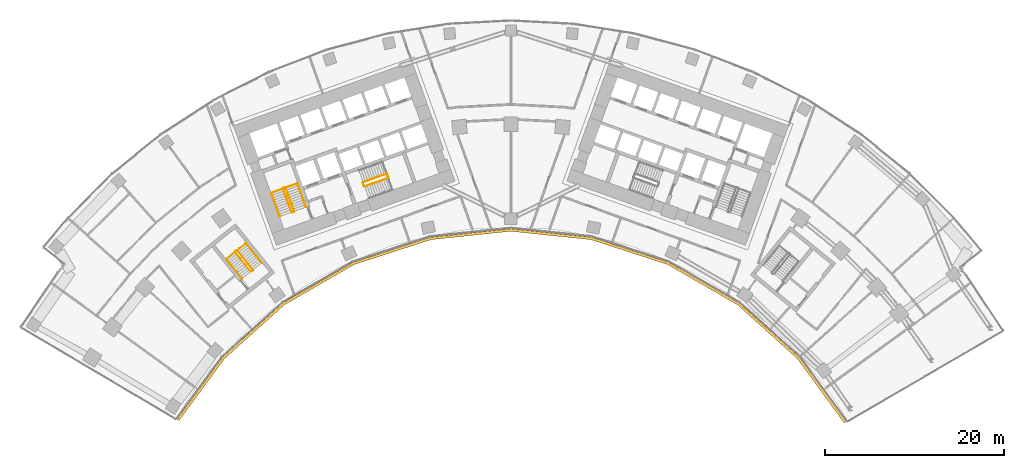
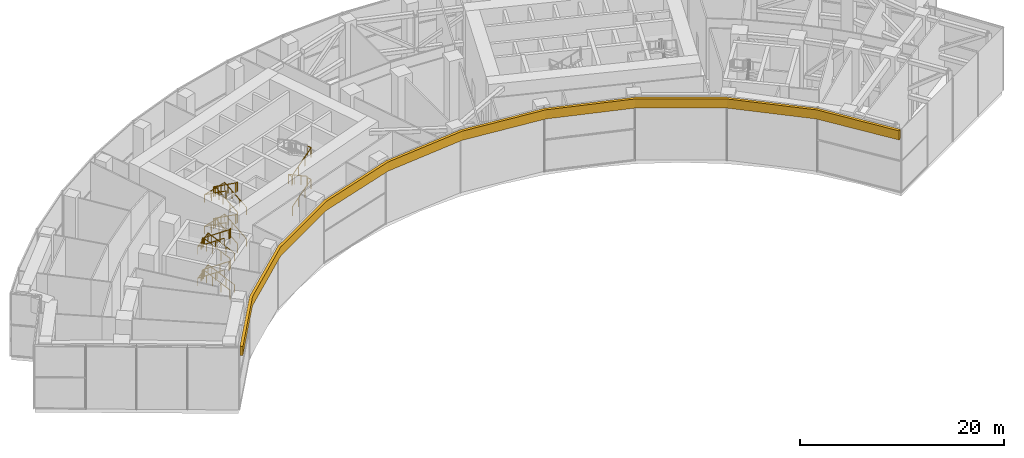
# One storey, part 31 of 33: 15 railings, 1 covering.
"""IFC4 building model written with IfcOpenShell, lengths in metres."""

import ifcopenshell
import ifcopenshell.guid

model = None  # the IFC model being written
_history = None  # IfcOwnerHistory: only IFC2X3 demands one
_inside = {}  # id of a spatial element -> (the spatial element, [elements in it])
_under = {}  # id of a project, library or spatial element -> (it, [spatial elements below it])
_declared = {}  # id of a project -> (the project, [libraries it declares])
_typed = {}  # id of a type object -> (the type object, [elements of that type])
_made_of = {}  # id of a material, layer set ... -> (it, [elements and type objects made of it])


def new_model(schema):
    """Start an empty IFC model of exactly this schema.

    Asked for "IFC4X3", IfcOpenShell would pick the latest addendum, in which some entities
    have other attributes; the version numbers below select the first issue.
    IFC2X3 requires an IfcOwnerHistory on every rooted entity: one is made here for all.
    """
    global model, _history
    if schema == "IFC4X3":
        model = ifcopenshell.file(schema_version=(4, 3, 0, 0))
    else:
        model = ifcopenshell.file(schema=schema)
    _inside.clear()
    _under.clear()
    _declared.clear()
    _typed.clear()
    _made_of.clear()
    _history = None
    if model.schema == "IFC2X3":
        org = make("IfcOrganization", Name="unknown")
        user = make(
            "IfcPersonAndOrganization",
            ThePerson=make("IfcPerson", FamilyName="unknown"),
            TheOrganization=org,
        )
        app = make(
            "IfcApplication",
            ApplicationDeveloper=org,
            Version="unknown",
            ApplicationFullName="unknown",
            ApplicationIdentifier="unknown",
        )
        _history = make(
            "IfcOwnerHistory",
            OwningUser=user,
            OwningApplication=app,
            ChangeAction="ADDED",
            CreationDate=0,
        )
    return model


def make(cls, **values):
    """One entity of the class cls with the attributes given. An attribute that is None is left unset."""
    return model.create_entity(
        cls, **{name: value for name, value in values.items() if value is not None}
    )


def rooted(cls, **values):
    """An entity with a GlobalId (a new one), such as an element, a storey or a relation."""
    return make(cls, GlobalId=ifcopenshell.guid.new(), OwnerHistory=_history, **values)


def si_unit(unit_type, name, prefix=None):
    """IfcSIUnit, for example si_unit("LENGTHUNIT", "METRE", prefix="MILLI")."""
    return make("IfcSIUnit", UnitType=unit_type, Prefix=prefix, Name=name)


def assignment(units):
    """IfcUnitAssignment: the units of a project."""
    return None if units is None else make("IfcUnitAssignment", Units=units)


def point(xyz):
    """IfcCartesianPoint."""
    return None if xyz is None else make("IfcCartesianPoint", Coordinates=xyz)


def direction(xyz):
    """IfcDirection."""
    return None if xyz is None else make("IfcDirection", DirectionRatios=xyz)


def frame(location, z_axis=None, x_axis=None):
    """IfcAxis2Placement3D, a coordinate frame: its origin and axes. An axis left out is left unset."""
    return make(
        "IfcAxis2Placement3D",
        Location=point(location),
        Axis=direction(z_axis),
        RefDirection=direction(x_axis),
    )


def frame_2d(location, x_axis=None):
    """IfcAxis2Placement2D, a coordinate frame in the plane: its origin and x axis."""
    return make(
        "IfcAxis2Placement2D", Location=point(location), RefDirection=direction(x_axis)
    )


def origin():
    """The frame at (0, 0, 0) with its axes left unset."""
    return frame((0.0, 0.0, 0.0))


def origin_2d():
    """The frame at (0, 0) in the plane with its x axis left unset."""
    return frame_2d((0.0, 0.0))


def place(relative_to, where):
    """IfcLocalPlacement: puts the frame where relative to a parent placement (None: the world)."""
    return make(
        "IfcLocalPlacement", PlacementRelTo=relative_to, RelativePlacement=where
    )


def context(
    kind, dimensions, precision=None, world=None, true_north=None, identifier=None
):
    """IfcGeometricRepresentationContext, for example the 3D "Model" context."""
    return make(
        "IfcGeometricRepresentationContext",
        ContextIdentifier=identifier,
        ContextType=kind,
        CoordinateSpaceDimension=dimensions,
        Precision=precision,
        WorldCoordinateSystem=world,
        TrueNorth=true_north,
    )


def subcontext(parent, identifier, kind, view, scale=None):
    """IfcGeometricRepresentationSubContext, for example "Body" below "Model"."""
    return make(
        "IfcGeometricRepresentationSubContext",
        ContextIdentifier=identifier,
        ContextType=kind,
        ParentContext=parent,
        TargetScale=scale,
        TargetView=view,
    )


def project(units=None, contexts=None):
    """IfcProject with its units and contexts."""
    return rooted(
        "IfcProject",
        Name="project",
        RepresentationContexts=contexts,
        UnitsInContext=assignment(units),
    )


def spatial(cls, under=None, at=None, **own):
    """A site, building, storey or space (cls), placed at a placement, below another one or the project."""
    s = rooted(cls, ObjectPlacement=at, **own)
    if under is not None:
        _under.setdefault(under.id(), (under, []))[1].append(s)
    return s


def polyline(points):
    """IfcPolyline through the points."""
    return make("IfcPolyline", Points=[point(p) for p in points])


def profile(cls, at=None, kind="AREA", **sizes):
    """A parametric profile (cls). Its sizes go by their IFC names, for example OverallWidth=200.0."""
    return make(cls, ProfileType=kind, Position=at, **sizes)


def circle(**sizes):
    """IfcCircleProfileDef."""
    return profile("IfcCircleProfileDef", **sizes)


def outline(outer, holes=None, kind="AREA"):
    """IfcArbitraryClosedProfileDef: a profile drawn as a closed curve; with holes, ...WithVoids."""
    if holes is None:
        return make("IfcArbitraryClosedProfileDef", ProfileType=kind, OuterCurve=outer)
    return make(
        "IfcArbitraryProfileDefWithVoids",
        ProfileType=kind,
        OuterCurve=outer,
        InnerCurves=holes,
    )


def extrude(swept, where, along, depth):
    """IfcExtrudedAreaSolid: the profile swept, set in the frame where, extruded along a direction by depth."""
    return make(
        "IfcExtrudedAreaSolid",
        SweptArea=swept,
        Position=where,
        ExtrudedDirection=direction(along),
        Depth=depth,
    )


def shape(context_of_items, identifier, shape_type, items):
    """IfcShapeRepresentation: the items that make up one representation, for example the "Body"."""
    return make(
        "IfcShapeRepresentation",
        ContextOfItems=context_of_items,
        RepresentationIdentifier=identifier,
        RepresentationType=shape_type,
        Items=items,
    )


def material(Name=None, Category=None):
    """IfcMaterial."""
    return make("IfcMaterial", Name=Name, Category=Category)


def layer(
    of_material, thickness, ventilated=None, Name=None, Category=None, Priority=None
):
    """IfcMaterialLayer: one layer of a wall or slab, of a material (None: an air gap)."""
    return make(
        "IfcMaterialLayer",
        Material=of_material,
        LayerThickness=thickness,
        IsVentilated=ventilated,
        Name=Name,
        Category=Category,
        Priority=Priority,
    )


def layer_set(layers, Name=None):
    """IfcMaterialLayerSet."""
    return make("IfcMaterialLayerSet", MaterialLayers=layers, LayerSetName=Name)


def made_of(thing, what):
    """Note that an element or type object is made of a material, layer set ...; save() writes the relation."""
    if what is not None:
        _made_of.setdefault(what.id(), (what, []))[1].append(thing)
    return thing


def type_object(cls, material=None, **own):
    """A type object (cls), such as IfcWallType, which elements share."""
    return made_of(rooted(cls, **own), material)


def element(
    cls,
    number,
    at=None,
    inside=None,
    cuts=None,
    type_object=None,
    material=None,
    context=None,
    identifier="Body",
    shape_type=None,
    held_by="IfcProductDefinitionShape",
    body=None,
    shapes=None,
    **own,
):
    """One element of the class cls, such as IfcWall. Its Tag is "e" and its number.

    at: its placement. inside: the storey or other place that contains it. cuts: it is an
    opening in that element (IfcRelVoidsElement). A single representation is given by context,
    identifier, shape_type and body (its items); several are given by shapes. held_by: the class
    of the entity that holds the representations. save() writes the other relations.
    """
    e = rooted(cls, Tag="e%d" % number, ObjectPlacement=at, **own)
    if body is not None:
        shapes = [shape(context, identifier, shape_type, body)]
    if shapes is not None:
        e.Representation = make(held_by, Representations=shapes)
    if inside is not None:
        _inside.setdefault(inside.id(), (inside, []))[1].append(e)
    if cuts is not None:
        rooted(
            "IfcRelVoidsElement", RelatingBuildingElement=cuts, RelatedOpeningElement=e
        )
    if type_object is not None:
        _typed.setdefault(type_object.id(), (type_object, []))[1].append(e)
    return made_of(e, material)


def aggregate(whole, parts):
    """IfcRelAggregates: a whole, such as a stair, and the parts it consists of."""
    return rooted("IfcRelAggregates", RelatingObject=whole, RelatedObjects=parts)


def save(model, path):
    """Write the relations noted so far, then the file.

    IfcRelAggregates (storeys below a building ...), IfcRelContainedInSpatialStructure (elements
    in a storey), IfcRelDefinesByType, IfcRelAssociatesMaterial and IfcRelDeclares: one each for
    every whole, place, type object, material and project.
    """
    for whole, parts in _under.values():
        aggregate(whole, parts)
    for where, things in _inside.values():
        rooted(
            "IfcRelContainedInSpatialStructure",
            RelatedElements=things,
            RelatingStructure=where,
        )
    for kind, things in _typed.values():
        rooted("IfcRelDefinesByType", RelatedObjects=things, RelatingType=kind)
    for what, things in _made_of.values():
        rooted("IfcRelAssociatesMaterial", RelatedObjects=things, RelatingMaterial=what)
    for by, libraries in _declared.values():
        rooted("IfcRelDeclares", RelatingContext=by, RelatedDefinitions=libraries)
    model.write(path)


model = new_model("IFC4")

# Units and contexts
model_context = context("Model", 3, precision=1e-05, world=origin(), true_north=direction((0.0, 1.0)))
body_context = subcontext(model_context, "Body", "Model", "MODEL_VIEW")
ifc_project = project(units=[si_unit("LENGTHUNIT", "METRE"), si_unit("AREAUNIT", "SQUARE_METRE"), si_unit("VOLUMEUNIT", "CUBIC_METRE"), si_unit("PLANEANGLEUNIT", "RADIAN"), si_unit("MASSUNIT", "GRAM", prefix="KILO")], contexts=[model_context])

# Site, building, storey
site_placement = place(None, origin())
site = spatial("IfcSite", under=ifc_project, at=site_placement, CompositionType="ELEMENT")
building_placement = place(site_placement, origin())
building = spatial("IfcBuilding", under=site, at=building_placement, Name="Stone Belt Terrace Tower", CompositionType="ELEMENT")
storey_placement = place(building_placement, frame((0.0, 0.0, 79.39990234375)))
storey = spatial("IfcBuildingStorey", under=building, at=storey_placement, Name="L19", CompositionType="ELEMENT", Elevation=79.39990234375)

# Railings
ifc_material_1 = material(Name="Structural steel C345", Category="steel")
railing_type_1 = type_object("IfcRailingType", Name="Stair guard 1100", PredefinedType="GUARDRAIL", material=ifc_material_1)
railing_1_placement = place(storey_placement, frame((-24.2119140625, 45.276123046875, 0.1728515625)))
element("IfcRailing", 1, at=railing_1_placement, inside=storey, type_object=railing_type_1, Name="L19 ST1A stair guard 1", PredefinedType="GUARDRAIL", context=body_context, shape_type="SweptSolid", body=[
    extrude(circle(Radius=0.02392578125, at=origin_2d()), frame((0.0, 0.0, 1.076171875), z_axis=(-0.288228637646, 0.800791768495, 0.525030280985), x_axis=(-0.940908529223, -0.338660803216, 0.0)), (0.0, 0.0, 1.0), 3.289794921875),
    extrude(circle(Radius=0.02392578125, at=origin_2d()), frame((-0.9482421875, 2.634521484375, 2.80322265625), z_axis=(-0.905209821074, 0.424964916, 0.0), x_axis=(-0.424964916, -0.905209821074, 0.0)), (0.0, 0.0, 1.0), 0.070556640625),
    extrude(circle(Radius=0.02392578125, at=origin_2d()), frame((-1.01220703125, 2.66455078125, 2.80322265625), z_axis=(-0.941105063269, -0.338114270461, 0.0), x_axis=(0.338114270461, -0.941105063269, 0.0)), (0.0, 0.0, 1.0), 0.199951171875),
    extrude(circle(Radius=0.02099609375, at=origin_2d()), origin(), (0.0, 0.0, 1.0), 1.052001953125),
    extrude(circle(Radius=0.02099609375, at=origin_2d()), frame((-0.316162109375, 0.878173828125, 0.57568359375)), (0.0, 0.0, 1.0), 1.052001953125),
    extrude(circle(Radius=0.02099609375, at=origin_2d()), frame((-0.632080078125, 1.75634765625, 1.151611328125)), (0.0, 0.0, 1.0), 1.052001953125),
    extrude(circle(Radius=0.02099609375, at=origin_2d()), frame((-0.9482421875, 2.634521484375, 1.727294921875)), (0.0, 0.0, 1.0), 1.052001953125),
    extrude(circle(Radius=0.02099609375, at=origin_2d()), frame((-1.01220703125, 2.66455078125, 1.727294921875)), (0.0, 0.0, 1.0), 1.052001953125),
    extrude(circle(Radius=0.02099609375, at=origin_2d()), frame((-1.200439453125, 2.596923828125, 1.727294921875)), (0.0, 0.0, 1.0), 1.052001953125),
])
railing_2_placement = place(storey_placement, frame((-25.4423828125, 47.80908203125, 2.07275390625)))
element("IfcRailing", 2, at=railing_2_placement, inside=storey, type_object=railing_type_1, Name="L19 ST1A stair guard 2", PredefinedType="GUARDRAIL", context=body_context, shape_type="SweptSolid", body=[
    extrude(circle(Radius=0.02392578125, at=origin_2d()), frame((0.0, 0.0, 1.076171875), z_axis=(0.288228637646, -0.800791768495, 0.525030280985), x_axis=(0.940908529223, 0.338660803216, 0.0)), (0.0, 0.0, 1.0), 3.289794921875),
    extrude(circle(Radius=0.02392578125, at=origin_2d()), frame((0.9482421875, -2.634521484375, 2.80322265625), z_axis=(0.903878284585, -0.427789722475, 0.0), x_axis=(0.427789722475, 0.903878284585, 0.0)), (0.0, 0.0, 1.0), 0.07080078125),
    extrude(circle(Radius=0.02392578125, at=origin_2d()), frame((1.01220703125, -2.664794921875, 2.80322265625), z_axis=(0.940575576748, 0.339584429008, 0.0), x_axis=(-0.339584429008, 0.940575576748, 0.0)), (0.0, 0.0, 1.0), 0.199951171875),
    extrude(circle(Radius=0.02099609375, at=origin_2d()), origin(), (0.0, 0.0, 1.0), 1.052001953125),
    extrude(circle(Radius=0.02099609375, at=origin_2d()), frame((0.316162109375, -0.878173828125, 0.57568359375)), (0.0, 0.0, 1.0), 1.052001953125),
    extrude(circle(Radius=0.02099609375, at=origin_2d()), frame((0.632080078125, -1.75634765625, 1.151611328125)), (0.0, 0.0, 1.0), 1.052001953125),
    extrude(circle(Radius=0.02099609375, at=origin_2d()), frame((0.9482421875, -2.634521484375, 1.727294921875)), (0.0, 0.0, 1.0), 1.052001953125),
    extrude(circle(Radius=0.02099609375, at=origin_2d()), frame((1.01220703125, -2.664794921875, 1.727294921875)), (0.0, 0.0, 1.0), 1.052001953125),
    extrude(circle(Radius=0.02099609375, at=origin_2d()), frame((1.2001953125, -2.596923828125, 1.727294921875)), (0.0, 0.0, 1.0), 1.052001953125),
])
railing_3_placement = place(storey_placement, frame((-24.2119140625, 45.276123046875, 3.972900390625)))
element("IfcRailing", 3, at=railing_3_placement, inside=storey, type_object=railing_type_1, Name="L19 ST1A stair guard 3", PredefinedType="GUARDRAIL", context=body_context, shape_type="SweptSolid", body=[
    extrude(circle(Radius=0.02392578125, at=origin_2d()), frame((0.0, 0.0, 1.076171875), z_axis=(-0.288228637646, 0.800791768495, 0.525030280985), x_axis=(-0.940908529223, -0.338660803216, 0.0)), (0.0, 0.0, 1.0), 3.289794921875),
    extrude(circle(Radius=0.02392578125, at=origin_2d()), frame((-0.9482421875, 2.634521484375, 2.80322265625), z_axis=(-0.905209821074, 0.424964916, 0.0), x_axis=(-0.424964916, -0.905209821074, 0.0)), (0.0, 0.0, 1.0), 0.070556640625),
    extrude(circle(Radius=0.02392578125, at=origin_2d()), frame((-1.01220703125, 2.66455078125, 2.80322265625), z_axis=(-0.941105063269, -0.338114270461, 0.0), x_axis=(0.338114270461, -0.941105063269, 0.0)), (0.0, 0.0, 1.0), 0.199951171875),
    extrude(circle(Radius=0.02099609375, at=origin_2d()), origin(), (0.0, 0.0, 1.0), 1.052001953125),
    extrude(circle(Radius=0.02099609375, at=origin_2d()), frame((-0.316162109375, 0.878173828125, 0.57568359375)), (0.0, 0.0, 1.0), 1.052001953125),
    extrude(circle(Radius=0.02099609375, at=origin_2d()), frame((-0.632080078125, 1.75634765625, 1.151611328125)), (0.0, 0.0, 1.0), 1.052001953125),
    extrude(circle(Radius=0.02099609375, at=origin_2d()), frame((-0.9482421875, 2.634521484375, 1.727294921875)), (0.0, 0.0, 1.0), 1.052001953125),
    extrude(circle(Radius=0.02099609375, at=origin_2d()), frame((-1.01220703125, 2.66455078125, 1.727294921875)), (0.0, 0.0, 1.0), 1.052001953125),
    extrude(circle(Radius=0.02099609375, at=origin_2d()), frame((-1.200439453125, 2.596923828125, 1.727294921875)), (0.0, 0.0, 1.0), 1.052001953125),
])
railing_4_placement = place(storey_placement, frame((-25.4423828125, 47.80908203125, 5.872802734375)))
element("IfcRailing", 4, at=railing_4_placement, inside=storey, type_object=railing_type_1, Name="L19 ST1A stair guard 4", PredefinedType="GUARDRAIL", context=body_context, shape_type="SweptSolid", body=[
    extrude(circle(Radius=0.02392578125, at=origin_2d()), frame((0.0, 0.0, 1.076171875), z_axis=(0.288228637646, -0.800791768495, 0.525030280985), x_axis=(0.940908529223, 0.338660803216, 0.0)), (0.0, 0.0, 1.0), 3.289794921875),
    extrude(circle(Radius=0.02392578125, at=origin_2d()), frame((0.9482421875, -2.634521484375, 2.80322265625), z_axis=(0.903878284585, -0.427789722475, 0.0), x_axis=(0.427789722475, 0.903878284585, 0.0)), (0.0, 0.0, 1.0), 0.07080078125),
    extrude(circle(Radius=0.02392578125, at=origin_2d()), frame((1.01220703125, -2.664794921875, 2.80322265625), z_axis=(0.940575576748, 0.339584429008, 0.0), x_axis=(-0.339584429008, 0.940575576748, 0.0)), (0.0, 0.0, 1.0), 0.199951171875),
    extrude(circle(Radius=0.02099609375, at=origin_2d()), origin(), (0.0, 0.0, 1.0), 1.052001953125),
    extrude(circle(Radius=0.02099609375, at=origin_2d()), frame((0.316162109375, -0.878173828125, 0.57568359375)), (0.0, 0.0, 1.0), 1.052001953125),
    extrude(circle(Radius=0.02099609375, at=origin_2d()), frame((0.632080078125, -1.75634765625, 1.151611328125)), (0.0, 0.0, 1.0), 1.052001953125),
    extrude(circle(Radius=0.02099609375, at=origin_2d()), frame((0.9482421875, -2.634521484375, 1.727294921875)), (0.0, 0.0, 1.0), 1.052001953125),
    extrude(circle(Radius=0.02099609375, at=origin_2d()), frame((1.01220703125, -2.664794921875, 1.727294921875)), (0.0, 0.0, 1.0), 1.052001953125),
    extrude(circle(Radius=0.02099609375, at=origin_2d()), frame((1.2001953125, -2.596923828125, 1.727294921875)), (0.0, 0.0, 1.0), 1.052001953125),
])
railing_5_placement = place(storey_placement, frame((-16.33837890625, 48.056640625, 0.1728515625)))
element("IfcRailing", 5, at=railing_5_placement, inside=storey, type_object=railing_type_1, Name="L19 ST2A stair guard 1", PredefinedType="GUARDRAIL", context=body_context, shape_type="SweptSolid", body=[
    extrude(circle(Radius=0.02392578125, at=origin_2d()), frame((0.0, 0.0, 1.076171875), z_axis=(0.800808895155, 0.288160591223, 0.52504150989), x_axis=(-0.338583606334, 0.940936311087, 0.0)), (0.0, 0.0, 1.0), 3.289794921875),
    extrude(circle(Radius=0.02392578125, at=origin_2d()), frame((2.634521484375, 0.947998046875, 2.80322265625), z_axis=(0.427789722475, 0.903878284585, 0.0), x_axis=(-0.903878284585, 0.427789722475, 0.0)), (0.0, 0.0, 1.0), 0.07080078125),
    extrude(circle(Radius=0.02392578125, at=origin_2d()), frame((2.664794921875, 1.011962890625, 2.80322265625), z_axis=(-0.338654645739, 0.940910745459, 0.0), x_axis=(-0.940910745459, -0.338654645739, 0.0)), (0.0, 0.0, 1.0), 0.400146484375),
    extrude(circle(Radius=0.02099609375, at=origin_2d()), origin(), (0.0, 0.0, 1.0), 1.052001953125),
    extrude(circle(Radius=0.02099609375, at=origin_2d()), frame((0.878173828125, 0.31591796875, 0.57568359375)), (0.0, 0.0, 1.0), 1.052001953125),
    extrude(circle(Radius=0.02099609375, at=origin_2d()), frame((1.75634765625, 0.632080078125, 1.151611328125)), (0.0, 0.0, 1.0), 1.052001953125),
    extrude(circle(Radius=0.02099609375, at=origin_2d()), frame((2.634521484375, 0.947998046875, 1.727294921875)), (0.0, 0.0, 1.0), 1.052001953125),
    extrude(circle(Radius=0.02099609375, at=origin_2d()), frame((2.664794921875, 1.011962890625, 1.727294921875)), (0.0, 0.0, 1.0), 1.052001953125),
    extrude(circle(Radius=0.02099609375, at=origin_2d()), frame((2.529296875, 1.388427734375, 1.727294921875)), (0.0, 0.0, 1.0), 1.052001953125),
])
railing_6_placement = place(storey_placement, frame((-13.873046875, 49.47509765625, 2.07275390625)))
element("IfcRailing", 6, at=railing_6_placement, inside=storey, type_object=railing_type_1, Name="L19 ST2A stair guard 2", PredefinedType="GUARDRAIL", context=body_context, shape_type="SweptSolid", body=[
    extrude(circle(Radius=0.02392578125, at=origin_2d()), frame((0.0, 0.0, 1.076171875), z_axis=(-0.800808895155, -0.288160591223, 0.52504150989), x_axis=(0.338583606334, -0.940936311087, 0.0)), (0.0, 0.0, 1.0), 3.289794921875),
    extrude(circle(Radius=0.02392578125, at=origin_2d()), frame((-2.634521484375, -0.947998046875, 2.80322265625), z_axis=(-0.427789722475, -0.903878284585, 0.0), x_axis=(0.903878284585, -0.427789722475, 0.0)), (0.0, 0.0, 1.0), 0.07080078125),
    extrude(circle(Radius=0.02392578125, at=origin_2d()), frame((-2.664794921875, -1.011962890625, 2.80322265625), z_axis=(0.338654645739, -0.940910745459, 0.0), x_axis=(0.940910745459, 0.338654645739, 0.0)), (0.0, 0.0, 1.0), 0.400146484375),
    extrude(circle(Radius=0.02099609375, at=origin_2d()), origin(), (0.0, 0.0, 1.0), 1.052001953125),
    extrude(circle(Radius=0.02099609375, at=origin_2d()), frame((-0.878173828125, -0.31591796875, 0.57568359375)), (0.0, 0.0, 1.0), 1.052001953125),
    extrude(circle(Radius=0.02099609375, at=origin_2d()), frame((-1.75634765625, -0.632080078125, 1.151611328125)), (0.0, 0.0, 1.0), 1.052001953125),
    extrude(circle(Radius=0.02099609375, at=origin_2d()), frame((-2.634521484375, -0.947998046875, 1.727294921875)), (0.0, 0.0, 1.0), 1.052001953125),
    extrude(circle(Radius=0.02099609375, at=origin_2d()), frame((-2.664794921875, -1.011962890625, 1.727294921875)), (0.0, 0.0, 1.0), 1.052001953125),
    extrude(circle(Radius=0.02099609375, at=origin_2d()), frame((-2.529296875, -1.388427734375, 1.727294921875)), (0.0, 0.0, 1.0), 1.052001953125),
])
railing_7_placement = place(storey_placement, frame((-16.33837890625, 48.056640625, 3.972900390625)))
element("IfcRailing", 7, at=railing_7_placement, inside=storey, type_object=railing_type_1, Name="L19 ST2A stair guard 3", PredefinedType="GUARDRAIL", context=body_context, shape_type="SweptSolid", body=[
    extrude(circle(Radius=0.02392578125, at=origin_2d()), frame((0.0, 0.0, 1.076171875), z_axis=(0.800808895155, 0.288160591223, 0.52504150989), x_axis=(-0.338583606334, 0.940936311087, 0.0)), (0.0, 0.0, 1.0), 3.289794921875),
    extrude(circle(Radius=0.02392578125, at=origin_2d()), frame((2.634521484375, 0.947998046875, 2.80322265625), z_axis=(0.427789722475, 0.903878284585, 0.0), x_axis=(-0.903878284585, 0.427789722475, 0.0)), (0.0, 0.0, 1.0), 0.07080078125),
    extrude(circle(Radius=0.02392578125, at=origin_2d()), frame((2.664794921875, 1.011962890625, 2.80322265625), z_axis=(-0.338654645739, 0.940910745459, 0.0), x_axis=(-0.940910745459, -0.338654645739, 0.0)), (0.0, 0.0, 1.0), 0.400146484375),
    extrude(circle(Radius=0.02099609375, at=origin_2d()), origin(), (0.0, 0.0, 1.0), 1.052001953125),
    extrude(circle(Radius=0.02099609375, at=origin_2d()), frame((0.878173828125, 0.31591796875, 0.57568359375)), (0.0, 0.0, 1.0), 1.052001953125),
    extrude(circle(Radius=0.02099609375, at=origin_2d()), frame((1.75634765625, 0.632080078125, 1.151611328125)), (0.0, 0.0, 1.0), 1.052001953125),
    extrude(circle(Radius=0.02099609375, at=origin_2d()), frame((2.634521484375, 0.947998046875, 1.727294921875)), (0.0, 0.0, 1.0), 1.052001953125),
    extrude(circle(Radius=0.02099609375, at=origin_2d()), frame((2.664794921875, 1.011962890625, 1.727294921875)), (0.0, 0.0, 1.0), 1.052001953125),
    extrude(circle(Radius=0.02099609375, at=origin_2d()), frame((2.529296875, 1.388427734375, 1.727294921875)), (0.0, 0.0, 1.0), 1.052001953125),
])
railing_8_placement = place(storey_placement, frame((-28.814208984375, 38.734619140625, 0.1728515625)))
element("IfcRailing", 8, at=railing_8_placement, inside=storey, type_object=railing_type_1, Name="L19 ST3A stair guard 1", PredefinedType="GUARDRAIL", context=body_context, shape_type="SweptSolid", body=[
    extrude(circle(Radius=0.02392578125, at=origin_2d()), frame((0.0, 0.0, 1.076171875), z_axis=(-0.530306321799, 0.665665785969, 0.525037395288), x_axis=(-0.782143211408, -0.623098705543, 0.0)), (0.0, 0.0, 1.0), 3.289794921875),
    extrude(circle(Radius=0.02392578125, at=origin_2d()), frame((-1.74462890625, 2.18994140625, 2.80322265625), z_axis=(-0.993883734674, 0.110431526075, 0.0), x_axis=(-0.110431526075, -0.993883734674, 0.0)), (0.0, 0.0, 1.0), 0.07080078125),
    extrude(circle(Radius=0.02392578125, at=origin_2d()), frame((-1.81494140625, 2.19775390625, 2.80322265625), z_axis=(-0.782533463299, -0.622608527742, 0.0), x_axis=(0.622608527742, -0.782533463299, 0.0)), (0.0, 0.0, 1.0), 0.199951171875),
    extrude(circle(Radius=0.02099609375, at=origin_2d()), origin(), (0.0, 0.0, 1.0), 1.052001953125),
    extrude(circle(Radius=0.02099609375, at=origin_2d()), frame((-0.58154296875, 0.72998046875, 0.57568359375)), (0.0, 0.0, 1.0), 1.052001953125),
    extrude(circle(Radius=0.02099609375, at=origin_2d()), frame((-1.1630859375, 1.4599609375, 1.151611328125)), (0.0, 0.0, 1.0), 1.052001953125),
    extrude(circle(Radius=0.02099609375, at=origin_2d()), frame((-1.74462890625, 2.18994140625, 1.727294921875)), (0.0, 0.0, 1.0), 1.052001953125),
    extrude(circle(Radius=0.02099609375, at=origin_2d()), frame((-1.81494140625, 2.19775390625, 1.727294921875)), (0.0, 0.0, 1.0), 1.052001953125),
    extrude(circle(Radius=0.02099609375, at=origin_2d()), frame((-1.971435546875, 2.0732421875, 1.727294921875)), (0.0, 0.0, 1.0), 1.052001953125),
])
railing_9_placement = place(storey_placement, frame((-30.793701171875, 40.737548828125, 2.07275390625)))
element("IfcRailing", 9, at=railing_9_placement, inside=storey, type_object=railing_type_1, Name="L19 ST3A stair guard 2", PredefinedType="GUARDRAIL", context=body_context, shape_type="SweptSolid", body=[
    extrude(circle(Radius=0.02392578125, at=origin_2d()), frame((0.0, 0.0, 1.076171875), z_axis=(0.530359659125, -0.665639588968, 0.525016732659), x_axis=(0.782100716982, 0.62315204284, 0.0)), (0.0, 0.0, 1.0), 3.2900390625),
    extrude(circle(Radius=0.02392578125, at=origin_2d()), frame((1.744873046875, -2.18994140625, 2.80322265625), z_axis=(0.993499272973, -0.113838458361, 0.0), x_axis=(0.113838458361, 0.993499272973, 0.0)), (0.0, 0.0, 1.0), 0.07080078125),
    extrude(circle(Radius=0.02392578125, at=origin_2d()), frame((1.815185546875, -2.197998046875, 2.80322265625), z_axis=(0.781464082609, 0.623950228458, 0.0), x_axis=(-0.623950228458, 0.781464082609, 0.0)), (0.0, 0.0, 1.0), 0.199951171875),
    extrude(circle(Radius=0.02099609375, at=origin_2d()), origin(), (0.0, 0.0, 1.0), 1.052001953125),
    extrude(circle(Radius=0.02099609375, at=origin_2d()), frame((0.58154296875, -0.72998046875, 0.57568359375)), (0.0, 0.0, 1.0), 1.052001953125),
    extrude(circle(Radius=0.02099609375, at=origin_2d()), frame((1.163330078125, -1.4599609375, 1.151611328125)), (0.0, 0.0, 1.0), 1.052001953125),
    extrude(circle(Radius=0.02099609375, at=origin_2d()), frame((1.744873046875, -2.18994140625, 1.727294921875)), (0.0, 0.0, 1.0), 1.052001953125),
    extrude(circle(Radius=0.02099609375, at=origin_2d()), frame((1.815185546875, -2.197998046875, 1.727294921875)), (0.0, 0.0, 1.0), 1.052001953125),
    extrude(circle(Radius=0.02099609375, at=origin_2d()), frame((1.971435546875, -2.0732421875, 1.727294921875)), (0.0, 0.0, 1.0), 1.052001953125),
])
railing_10_placement = place(storey_placement, frame((-28.814208984375, 38.734619140625, 3.972900390625)))
element("IfcRailing", 10, at=railing_10_placement, inside=storey, type_object=railing_type_1, Name="L19 ST3A stair guard 3", PredefinedType="GUARDRAIL", context=body_context, shape_type="SweptSolid", body=[
    extrude(circle(Radius=0.02392578125, at=origin_2d()), frame((0.0, 0.0, 1.076171875), z_axis=(-0.530306321799, 0.665665785969, 0.525037395288), x_axis=(-0.782143211408, -0.623098705543, 0.0)), (0.0, 0.0, 1.0), 3.289794921875),
    extrude(circle(Radius=0.02392578125, at=origin_2d()), frame((-1.74462890625, 2.18994140625, 2.80322265625), z_axis=(-0.993883734674, 0.110431526075, 0.0), x_axis=(-0.110431526075, -0.993883734674, 0.0)), (0.0, 0.0, 1.0), 0.07080078125),
    extrude(circle(Radius=0.02392578125, at=origin_2d()), frame((-1.81494140625, 2.19775390625, 2.80322265625), z_axis=(-0.782533463299, -0.622608527742, 0.0), x_axis=(0.622608527742, -0.782533463299, 0.0)), (0.0, 0.0, 1.0), 0.199951171875),
    extrude(circle(Radius=0.02099609375, at=origin_2d()), origin(), (0.0, 0.0, 1.0), 1.052001953125),
    extrude(circle(Radius=0.02099609375, at=origin_2d()), frame((-0.58154296875, 0.72998046875, 0.57568359375)), (0.0, 0.0, 1.0), 1.052001953125),
    extrude(circle(Radius=0.02099609375, at=origin_2d()), frame((-1.1630859375, 1.4599609375, 1.151611328125)), (0.0, 0.0, 1.0), 1.052001953125),
    extrude(circle(Radius=0.02099609375, at=origin_2d()), frame((-1.74462890625, 2.18994140625, 1.727294921875)), (0.0, 0.0, 1.0), 1.052001953125),
    extrude(circle(Radius=0.02099609375, at=origin_2d()), frame((-1.81494140625, 2.19775390625, 1.727294921875)), (0.0, 0.0, 1.0), 1.052001953125),
    extrude(circle(Radius=0.02099609375, at=origin_2d()), frame((-1.971435546875, 2.0732421875, 1.727294921875)), (0.0, 0.0, 1.0), 1.052001953125),
])
railing_11_placement = place(storey_placement, frame((-30.793701171875, 40.737548828125, 5.872802734375)))
element("IfcRailing", 11, at=railing_11_placement, inside=storey, type_object=railing_type_1, Name="L19 ST3A stair guard 4", PredefinedType="GUARDRAIL", context=body_context, shape_type="SweptSolid", body=[
    extrude(circle(Radius=0.02392578125, at=origin_2d()), frame((0.0, 0.0, 1.076171875), z_axis=(0.530359659125, -0.665639588968, 0.525016732659), x_axis=(0.782100716982, 0.62315204284, 0.0)), (0.0, 0.0, 1.0), 3.2900390625),
    extrude(circle(Radius=0.02392578125, at=origin_2d()), frame((1.744873046875, -2.18994140625, 2.80322265625), z_axis=(0.993499272973, -0.113838458361, 0.0), x_axis=(0.113838458361, 0.993499272973, 0.0)), (0.0, 0.0, 1.0), 0.07080078125),
    extrude(circle(Radius=0.02392578125, at=origin_2d()), frame((1.815185546875, -2.197998046875, 2.80322265625), z_axis=(0.781464082609, 0.623950228458, 0.0), x_axis=(-0.623950228458, 0.781464082609, 0.0)), (0.0, 0.0, 1.0), 0.199951171875),
    extrude(circle(Radius=0.02099609375, at=origin_2d()), origin(), (0.0, 0.0, 1.0), 1.052001953125),
    extrude(circle(Radius=0.02099609375, at=origin_2d()), frame((0.58154296875, -0.72998046875, 0.57568359375)), (0.0, 0.0, 1.0), 1.052001953125),
    extrude(circle(Radius=0.02099609375, at=origin_2d()), frame((1.163330078125, -1.4599609375, 1.151611328125)), (0.0, 0.0, 1.0), 1.052001953125),
    extrude(circle(Radius=0.02099609375, at=origin_2d()), frame((1.744873046875, -2.18994140625, 1.727294921875)), (0.0, 0.0, 1.0), 1.052001953125),
    extrude(circle(Radius=0.02099609375, at=origin_2d()), frame((1.815185546875, -2.197998046875, 1.727294921875)), (0.0, 0.0, 1.0), 1.052001953125),
    extrude(circle(Radius=0.02099609375, at=origin_2d()), frame((1.971435546875, -2.0732421875, 1.727294921875)), (0.0, 0.0, 1.0), 1.052001953125),
])
railing_type_2 = type_object("IfcRailingType", Name="Stair handrail 900", PredefinedType="HANDRAIL", material=ifc_material_1)
railing_12_placement = place(storey_placement, frame((-22.894775390625, 45.750244140625, 0.1728515625)))
element("IfcRailing", 12, at=railing_12_placement, inside=storey, type_object=railing_type_2, Name="L19 ST1A stair handrail 1", PredefinedType="HANDRAIL", context=body_context, shape_type="SweptSolid", body=[
    extrude(circle(Radius=0.02392578125, at=origin_2d()), frame((0.0, 0.0, 0.8759765625), z_axis=(-0.288160591223, 0.800808895155, 0.52504150989), x_axis=(-0.940936311087, -0.338583606334, 0.0)), (0.0, 0.0, 1.0), 3.289794921875),
    extrude(circle(Radius=0.02392578125, at=origin_2d()), frame((-0.947998046875, 2.634521484375, 2.60302734375), z_axis=(-0.939464517435, -0.338106580597, 0.055591012205), x_axis=(0.338630230244, -0.940919532779, 0.0)), (0.0, 0.0, 1.0), 3.10498046875),
    extrude(circle(Radius=0.02392578125, at=origin_2d()), frame((-3.864990234375, 1.584716796875, 2.77587890625), z_axis=(0.288228637646, -0.800791768495, 0.525030280985), x_axis=(0.940908529223, 0.338660803216, 0.0)), (0.0, 0.0, 1.0), 3.289794921875),
    extrude(circle(Radius=0.02099609375, at=origin_2d()), origin(), (0.0, 0.0, 1.0), 0.851806640625),
    extrude(circle(Radius=0.02099609375, at=origin_2d()), frame((-0.31591796875, 0.878173828125, 0.57568359375)), (0.0, 0.0, 1.0), 0.851806640625),
    extrude(circle(Radius=0.02099609375, at=origin_2d()), frame((-0.632080078125, 1.75634765625, 1.151611328125)), (0.0, 0.0, 1.0), 0.851806640625),
    extrude(circle(Radius=0.02099609375, at=origin_2d()), frame((-0.947998046875, 2.634521484375, 1.727294921875)), (0.0, 0.0, 1.0), 0.851806640625),
    extrude(circle(Radius=0.02099609375, at=origin_2d()), frame((-1.92041015625, 2.28466796875, 1.784912109375)), (0.0, 0.0, 1.0), 0.851806640625),
    extrude(circle(Radius=0.02099609375, at=origin_2d()), frame((-2.892578125, 1.9345703125, 1.84228515625)), (0.0, 0.0, 1.0), 0.851806640625),
    extrude(circle(Radius=0.02099609375, at=origin_2d()), frame((-3.864990234375, 1.584716796875, 1.89990234375)), (0.0, 0.0, 1.0), 0.851806640625),
    extrude(circle(Radius=0.02099609375, at=origin_2d()), frame((-3.548828125, 0.70654296875, 2.4755859375)), (0.0, 0.0, 1.0), 0.851806640625),
    extrude(circle(Radius=0.02099609375, at=origin_2d()), frame((-3.23291015625, -0.171630859375, 3.051513671875)), (0.0, 0.0, 1.0), 0.851806640625),
    extrude(circle(Radius=0.02099609375, at=origin_2d()), frame((-2.916748046875, -1.0498046875, 3.627197265625)), (0.0, 0.0, 1.0), 0.851806640625),
])
railing_13_placement = place(storey_placement, frame((-22.894775390625, 45.750244140625, 3.972900390625)))
element("IfcRailing", 13, at=railing_13_placement, inside=storey, type_object=railing_type_2, Name="L19 ST1A stair handrail 2", PredefinedType="HANDRAIL", context=body_context, shape_type="SweptSolid", body=[
    extrude(circle(Radius=0.02392578125, at=origin_2d()), frame((0.0, 0.0, 0.8759765625), z_axis=(-0.288160591223, 0.800808895155, 0.52504150989), x_axis=(-0.940936311087, -0.338583606334, 0.0)), (0.0, 0.0, 1.0), 3.289794921875),
    extrude(circle(Radius=0.02392578125, at=origin_2d()), frame((-0.947998046875, 2.634521484375, 2.60302734375), z_axis=(-0.939464517435, -0.338106580597, 0.055591012205), x_axis=(0.338630230244, -0.940919532779, 0.0)), (0.0, 0.0, 1.0), 3.10498046875),
    extrude(circle(Radius=0.02392578125, at=origin_2d()), frame((-3.864990234375, 1.584716796875, 2.77587890625), z_axis=(0.288228637646, -0.800791768495, 0.525030280985), x_axis=(0.940908529223, 0.338660803216, 0.0)), (0.0, 0.0, 1.0), 3.289794921875),
    extrude(circle(Radius=0.02099609375, at=origin_2d()), origin(), (0.0, 0.0, 1.0), 0.851806640625),
    extrude(circle(Radius=0.02099609375, at=origin_2d()), frame((-0.31591796875, 0.878173828125, 0.57568359375)), (0.0, 0.0, 1.0), 0.851806640625),
    extrude(circle(Radius=0.02099609375, at=origin_2d()), frame((-0.632080078125, 1.75634765625, 1.151611328125)), (0.0, 0.0, 1.0), 0.851806640625),
    extrude(circle(Radius=0.02099609375, at=origin_2d()), frame((-0.947998046875, 2.634521484375, 1.727294921875)), (0.0, 0.0, 1.0), 0.851806640625),
    extrude(circle(Radius=0.02099609375, at=origin_2d()), frame((-1.92041015625, 2.28466796875, 1.784912109375)), (0.0, 0.0, 1.0), 0.851806640625),
    extrude(circle(Radius=0.02099609375, at=origin_2d()), frame((-2.892578125, 1.9345703125, 1.84228515625)), (0.0, 0.0, 1.0), 0.851806640625),
    extrude(circle(Radius=0.02099609375, at=origin_2d()), frame((-3.864990234375, 1.584716796875, 1.89990234375)), (0.0, 0.0, 1.0), 0.851806640625),
    extrude(circle(Radius=0.02099609375, at=origin_2d()), frame((-3.548828125, 0.70654296875, 2.4755859375)), (0.0, 0.0, 1.0), 0.851806640625),
    extrude(circle(Radius=0.02099609375, at=origin_2d()), frame((-3.23291015625, -0.171630859375, 3.051513671875)), (0.0, 0.0, 1.0), 0.851806640625),
    extrude(circle(Radius=0.02099609375, at=origin_2d()), frame((-2.916748046875, -1.0498046875, 3.627197265625)), (0.0, 0.0, 1.0), 0.851806640625),
])
railing_14_placement = place(storey_placement, frame((-27.836669921875, 39.513427734375, 0.1728515625)))
element("IfcRailing", 14, at=railing_14_placement, inside=storey, type_object=railing_type_2, Name="L19 ST3A stair handrail 1", PredefinedType="HANDRAIL", context=body_context, shape_type="SweptSolid", body=[
    extrude(circle(Radius=0.02392578125, at=origin_2d()), frame((0.0, 0.0, 0.8759765625), z_axis=(-0.530306321799, 0.665665785969, 0.525037395288), x_axis=(-0.782143211408, -0.623098705543, 0.0)), (0.0, 0.0, 1.0), 3.289794921875),
    extrude(circle(Radius=0.02392578125, at=origin_2d()), frame((-1.74462890625, 2.18994140625, 2.60302734375), z_axis=(-0.780661215256, -0.62191806513, 0.061530376721), x_axis=(0.623098705543, -0.782143211408, 0.0)), (0.0, 0.0, 1.0), 2.80517578125),
    extrude(circle(Radius=0.02392578125, at=origin_2d()), frame((-3.9345703125, 0.4453125, 2.77587890625), z_axis=(0.530306321799, -0.665665785969, 0.525037395288), x_axis=(0.782143211408, 0.623098705543, 0.0)), (0.0, 0.0, 1.0), 3.289794921875),
    extrude(circle(Radius=0.02099609375, at=origin_2d()), origin(), (0.0, 0.0, 1.0), 0.851806640625),
    extrude(circle(Radius=0.02099609375, at=origin_2d()), frame((-0.58154296875, 0.72998046875, 0.57568359375)), (0.0, 0.0, 1.0), 0.851806640625),
    extrude(circle(Radius=0.02099609375, at=origin_2d()), frame((-1.1630859375, 1.4599609375, 1.151611328125)), (0.0, 0.0, 1.0), 0.851806640625),
    extrude(circle(Radius=0.02099609375, at=origin_2d()), frame((-1.74462890625, 2.18994140625, 1.727294921875)), (0.0, 0.0, 1.0), 0.851806640625),
    extrude(circle(Radius=0.02099609375, at=origin_2d()), frame((-2.474609375, 1.6083984375, 1.784912109375)), (0.0, 0.0, 1.0), 0.851806640625),
    extrude(circle(Radius=0.02099609375, at=origin_2d()), frame((-3.20458984375, 1.02685546875, 1.84228515625)), (0.0, 0.0, 1.0), 0.851806640625),
    extrude(circle(Radius=0.02099609375, at=origin_2d()), frame((-3.9345703125, 0.4453125, 1.89990234375)), (0.0, 0.0, 1.0), 0.851806640625),
    extrude(circle(Radius=0.02099609375, at=origin_2d()), frame((-3.35302734375, -0.28466796875, 2.4755859375)), (0.0, 0.0, 1.0), 0.851806640625),
    extrude(circle(Radius=0.02099609375, at=origin_2d()), frame((-2.771484375, -1.0146484375, 3.051513671875)), (0.0, 0.0, 1.0), 0.851806640625),
    extrude(circle(Radius=0.02099609375, at=origin_2d()), frame((-2.18994140625, -1.74462890625, 3.627197265625)), (0.0, 0.0, 1.0), 0.851806640625),
])
railing_15_placement = place(storey_placement, frame((-27.836669921875, 39.513427734375, 3.972900390625)))
element("IfcRailing", 15, at=railing_15_placement, inside=storey, type_object=railing_type_2, Name="L19 ST3A stair handrail 2", PredefinedType="HANDRAIL", context=body_context, shape_type="SweptSolid", body=[
    extrude(circle(Radius=0.02392578125, at=origin_2d()), frame((0.0, 0.0, 0.8759765625), z_axis=(-0.530306321799, 0.665665785969, 0.525037395288), x_axis=(-0.782143211408, -0.623098705543, 0.0)), (0.0, 0.0, 1.0), 3.289794921875),
    extrude(circle(Radius=0.02392578125, at=origin_2d()), frame((-1.74462890625, 2.18994140625, 2.60302734375), z_axis=(-0.780661215256, -0.62191806513, 0.061530376721), x_axis=(0.623098705543, -0.782143211408, 0.0)), (0.0, 0.0, 1.0), 2.80517578125),
    extrude(circle(Radius=0.02392578125, at=origin_2d()), frame((-3.9345703125, 0.4453125, 2.77587890625), z_axis=(0.530306321799, -0.665665785969, 0.525037395288), x_axis=(0.782143211408, 0.623098705543, 0.0)), (0.0, 0.0, 1.0), 3.289794921875),
    extrude(circle(Radius=0.02099609375, at=origin_2d()), origin(), (0.0, 0.0, 1.0), 0.851806640625),
    extrude(circle(Radius=0.02099609375, at=origin_2d()), frame((-0.58154296875, 0.72998046875, 0.57568359375)), (0.0, 0.0, 1.0), 0.851806640625),
    extrude(circle(Radius=0.02099609375, at=origin_2d()), frame((-1.1630859375, 1.4599609375, 1.151611328125)), (0.0, 0.0, 1.0), 0.851806640625),
    extrude(circle(Radius=0.02099609375, at=origin_2d()), frame((-1.74462890625, 2.18994140625, 1.727294921875)), (0.0, 0.0, 1.0), 0.851806640625),
    extrude(circle(Radius=0.02099609375, at=origin_2d()), frame((-2.474609375, 1.6083984375, 1.784912109375)), (0.0, 0.0, 1.0), 0.851806640625),
    extrude(circle(Radius=0.02099609375, at=origin_2d()), frame((-3.20458984375, 1.02685546875, 1.84228515625)), (0.0, 0.0, 1.0), 0.851806640625),
    extrude(circle(Radius=0.02099609375, at=origin_2d()), frame((-3.9345703125, 0.4453125, 1.89990234375)), (0.0, 0.0, 1.0), 0.851806640625),
    extrude(circle(Radius=0.02099609375, at=origin_2d()), frame((-3.35302734375, -0.28466796875, 2.4755859375)), (0.0, 0.0, 1.0), 0.851806640625),
    extrude(circle(Radius=0.02099609375, at=origin_2d()), frame((-2.771484375, -1.0146484375, 3.051513671875)), (0.0, 0.0, 1.0), 0.851806640625),
    extrude(circle(Radius=0.02099609375, at=origin_2d()), frame((-2.18994140625, -1.74462890625, 3.627197265625)), (0.0, 0.0, 1.0), 0.851806640625),
])

# Covering
ifc_material_2 = material(Name="Terracotta coloured glazed ceramic", Category="masonry")
ifc_layer = layer(ifc_material_2, 0.300048828125)
ifc_layer_set = layer_set([ifc_layer], Name="Terracotta spandrel band 300 x 1100")
covering_type = type_object("IfcCoveringType", Name="Terracotta spandrel band 300 x 1100", PredefinedType="CLADDING", material=ifc_layer_set)
covering_placement = place(storey_placement, frame((0.0, 0.0, 6.5)))
element("IfcCovering", 16, at=covering_placement, inside=storey, type_object=covering_type, Name="BAND L19", PredefinedType="CLADDING", context=body_context, shape_type="SweptSolid", body=[
    extrude(outline(polyline([(-37.3134765625, 22.068115234375), (-32.215087890625, 29.006103515625), (-25.47998046875, 35.0703125), (-17.631591796875, 39.6015625), (-9.0126953125, 42.40185546875), (0.0, 43.34912109375), (9.0126953125, 42.40185546875), (17.631591796875, 39.6015625), (25.47998046875, 35.0703125), (32.21484375, 29.006103515625), (37.47314453125, 21.795654296875), (37.230712890625, 21.618896484375), (31.99072265625, 28.80419921875), (25.302734375, 34.826171875), (17.509033203125, 39.325927734375), (8.9501953125, 42.10693359375), (0.0, 43.047607421875), (-8.9501953125, 42.10693359375), (-17.509033203125, 39.325927734375), (-25.302734375, 34.826171875), (-31.991455078125, 28.8037109375), (-37.071533203125, 21.890380859375), (-37.3134765625, 22.068115234375)])), origin(), (0.0, 0.0, 1.0), 1.10009765625),
])

save(model, "model.ifc")
